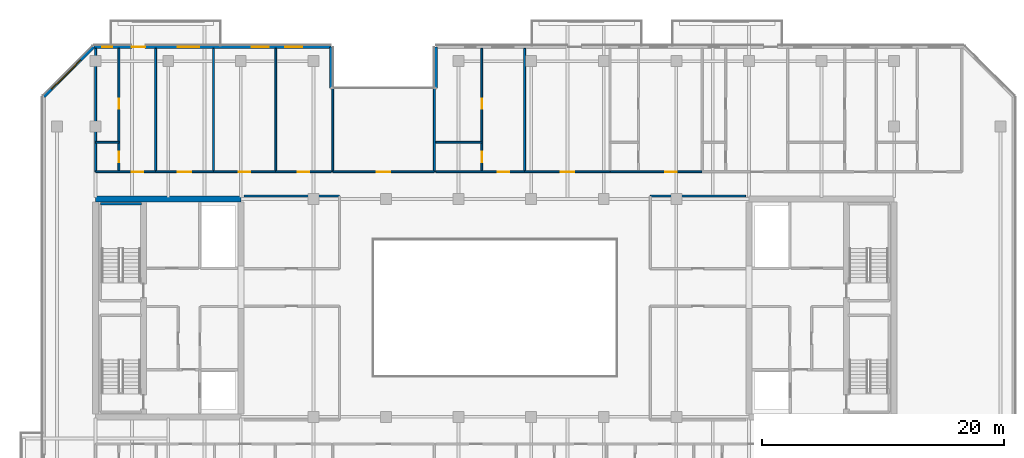
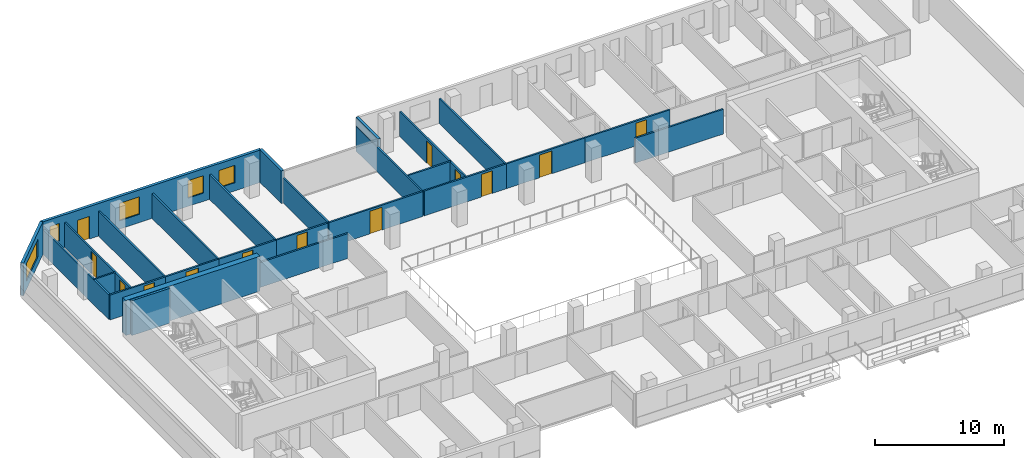
# One storey, part 12 of 19: 27 walls, 13 doors, 5 windows, 18 openings.
"""IFC4 building model written with IfcOpenShell, lengths in metres."""

from ifc_helpers import new_model, si_unit, direction, frame, frame_2d, origin, place, context, subcontext, project, spatial, rectangle, extrude, material, layer, layer_set, type_object, element, fill, save


model = new_model("IFC4")

# Units and contexts
model_context = context("Model", 3, precision=1e-05, world=origin(), true_north=direction((0.0, 1.0)))
body_context = subcontext(model_context, "Body", "Model", "MODEL_VIEW")
ifc_project = project(units=[si_unit("LENGTHUNIT", "METRE"), si_unit("AREAUNIT", "SQUARE_METRE"), si_unit("VOLUMEUNIT", "CUBIC_METRE"), si_unit("PLANEANGLEUNIT", "RADIAN"), si_unit("MASSUNIT", "GRAM", prefix="KILO")], contexts=[model_context])

# Site, building, storey
site_placement = place(None, origin())
site = spatial("IfcSite", under=ifc_project, at=site_placement, CompositionType="ELEMENT")
building_placement = place(site_placement, origin())
building = spatial("IfcBuilding", under=site, at=building_placement, Name="Tanjung Sevakor Pilgrim Tower", CompositionType="ELEMENT")
storey_placement = place(building_placement, frame((0.0, 0.0, 138.60009765625)))
storey = spatial("IfcBuildingStorey", under=building, at=storey_placement, Name="L38", CompositionType="ELEMENT", Elevation=138.60009765625)

# Walls
ifc_material_1 = material(Name="Concrete C60/75", Category="concrete")
ifc_layer_1 = layer(ifc_material_1, 0.5)
ifc_layer_set_1 = layer_set([ifc_layer_1], Name="WALL-CW-500")
wall_type_1 = type_object("IfcWallType", Name="WALL-CW-500", PredefinedType="SHEAR", material=ifc_layer_set_1)
wall_1_placement = place(storey_placement, frame((36.0, 42.60009765625, 0.0), z_axis=(0.0, 0.0, 1.0), x_axis=(-1.0, 0.0, 0.0)))
element("IfcWall", 1, at=wall_1_placement, inside=storey, type_object=wall_type_1, Name="L38 W Core North Shear Wall", PredefinedType="SHEAR", context=body_context, shape_type="SweptSolid", body=[
    extrude(rectangle(XDim=12.0, YDim=0.5, at=frame_2d((6.0, 0.0))), origin(), (0.0, 0.0, 1.0), 3.2998046875),
])
ifc_material_2 = material(Name="Concrete C40/50", Category="concrete")
ifc_layer_2 = layer(ifc_material_2, 0.14990234375)
ifc_layer_set_2 = layer_set([ifc_layer_2], Name="WT-COMP-150")
wall_type_2 = type_object("IfcWallType", Name="WT-COMP-150", PredefinedType="SOLIDWALL", material=ifc_layer_set_2)
for number, where, z_axis, x_axis, name in (
    (2, (36.27001953125, 42.85009765625, 0.0), (0.0, 0.0, 1.0), (1.0, 0.0, 0.0), "L38 Partition IW-L38-023"),
    (3, (69.85009765625, 42.85009765625, 0.0), (0.0, 0.0, 1.0), (1.0, 0.0, 0.0), "L38 Partition IW-L38-029"),
):
    element("IfcWall", number, at=place(storey_placement, frame(where, z_axis=z_axis, x_axis=x_axis)), inside=storey, type_object=wall_type_2, Name=name, PredefinedType="SOLIDWALL", context=body_context, shape_type="SweptSolid", body=[
        extrude(rectangle(XDim=7.8798828125, YDim=0.14990234375, at=frame_2d((3.93994140625, 0.0))), origin(), (0.0, 0.0, 1.0), 2.35009765625),
    ])

# Wall, opening, door
wall_2_placement = place(storey_placement, frame((43.60009765625, 44.85009765625, 0.0), z_axis=(0.0, 0.0, 1.0), x_axis=(1.0, 0.0, 0.0)))
wall_2 = element("IfcWall", 4, at=wall_2_placement, inside=storey, type_object=wall_type_2, Name="L38 Partition IW-L38-034", PredefinedType="SOLIDWALL", context=body_context, shape_type="SweptSolid", body=[
    extrude(rectangle(XDim=8.39990234375, YDim=0.14990234375, at=frame_2d((4.199951171875, 0.0))), origin(), (0.0, 0.0, 1.0), 2.35009765625),
])
opening_1_placement = place(wall_2_placement, frame((3.64990234375, 0.0, 0.0)))
opening_1 = element("IfcOpeningElement", 5, at=opening_1_placement, cuts=wall_2, Name="Opening ID-RM2", PredefinedType="OPENING", context=body_context, shape_type="SweptSolid", body=[
    extrude(rectangle(XDim=1.10009765625, YDim=2.14990234375, at=frame_2d((0.550048828125, 1.074951171875))), frame((0.0, 0.0849609375, 0.0), z_axis=(0.0, -1.0, 0.0), x_axis=(1.0, 0.0, 0.0)), (0.0, 0.0, 1.0), 0.169921875),
])
ifc_material_3 = material(Name="Hardwood Timber", Category="wood")
door_type_1 = type_object("IfcDoorType", Name="DT-INT-1100", OperationType="NOTDEFINED", PredefinedType="DOOR", material=ifc_material_3)
door_1_placement = place(opening_1_placement, origin())
door_1 = element("IfcDoor", 6, at=door_1_placement, inside=storey, type_object=door_type_1, Name="L38 North Cleft Prayer Room Door", OperationType="SINGLE_SWING_RIGHT", OverallHeight=2.14990234375, OverallWidth=1.10009765625, PredefinedType="DOOR", context=body_context, shape_type="SweptSolid", body=[
    extrude(rectangle(XDim=1.10009765625, YDim=2.14990234375, at=frame_2d((0.550048828125, 1.074951171875))), frame((0.0, 0.02490234375, 0.0), z_axis=(0.0, -1.0, 0.0), x_axis=(1.0, 0.0, 0.0)), (0.0, 0.0, 1.0), 0.050048828125),
])
fill(opening_1, door_1)

# Walls
for number, where, z_axis, x_axis, name in (
    (7, (43.60009765625, 44.85009765625, 0.0), (0.0, 0.0, 1.0), (0.0, 1.0, 0.0), "L38 Partition IW-L38-035"),
    (8, (52.0, 44.85009765625, 0.0), (0.0, 0.0, 1.0), (0.0, 1.0, 0.0), "L38 Partition IW-L38-036"),
    (9, (24.0, 44.85009765625, 0.0), (0.0, 0.0, 1.0), (0.0, 1.0, 0.0), "L38 Partition IW-L38-068"),
    (10, (28.9619140625, 44.85009765625, 0.0), (0.0, 0.0, 1.0), (0.0, 1.0, 0.0), "L38 Partition IW-L38-069"),
):
    element("IfcWall", number, at=place(storey_placement, frame(where, z_axis=z_axis, x_axis=x_axis)), inside=storey, type_object=wall_type_2, Name=name, PredefinedType="SOLIDWALL", context=body_context, shape_type="SweptSolid", body=[
        extrude(rectangle(XDim=10.199951171875, YDim=0.14990234375, at=frame_2d((5.10009765625, 0.0))), origin(), (0.0, 0.0, 1.0), 2.35009765625),
    ])

# Wall, opening, door
wall_3_placement = place(storey_placement, frame((24.0, 44.85009765625, 0.0), z_axis=(0.0, 0.0, 1.0), x_axis=(1.0, 0.0, 0.0)))
wall_3 = element("IfcWall", 11, at=wall_3_placement, inside=storey, type_object=wall_type_2, Name="L38 Partition IW-L38-072", PredefinedType="SOLIDWALL", context=body_context, shape_type="SweptSolid", body=[
    extrude(rectangle(XDim=4.9619140625, YDim=0.14990234375, at=frame_2d((2.48095703125, 0.0))), origin(), (0.0, 0.0, 1.0), 2.35009765625),
])
opening_2_placement = place(wall_3_placement, frame((3.005859375, 0.0, 0.0)))
opening_2 = element("IfcOpeningElement", 12, at=opening_2_placement, cuts=wall_3, Name="Opening ID-FD2", PredefinedType="OPENING", context=body_context, shape_type="SweptSolid", body=[
    extrude(rectangle(XDim=0.949951171875, YDim=2.14990234375, at=frame_2d((0.47509765625, 1.074951171875))), frame((0.0, 0.0849609375, 0.0), z_axis=(0.0, -1.0, 0.0), x_axis=(1.0, 0.0, 0.0)), (0.0, 0.0, 1.0), 0.169921875),
])
ifc_material_4 = material(Name="Fire-Rated Timber", Category="wood")
door_type_2 = type_object("IfcDoorType", Name="DT-FIRE-950", OperationType="NOTDEFINED", PredefinedType="DOOR", material=ifc_material_4)
door_2_placement = place(opening_2_placement, origin())
door_2 = element("IfcDoor", 13, at=door_2_placement, inside=storey, type_object=door_type_2, Name="Hostel Quad Entrance", OperationType="SINGLE_SWING_RIGHT", OverallHeight=2.14990234375, OverallWidth=0.949951171875, PredefinedType="DOOR", context=body_context, shape_type="SweptSolid", body=[
    extrude(rectangle(XDim=0.949951171875, YDim=2.14990234375, at=frame_2d((0.47509765625, 1.074951171875))), frame((0.0, 0.02490234375, 0.0), z_axis=(0.0, -1.0, 0.0), x_axis=(1.0, 0.0, 0.0)), (0.0, 0.0, 1.0), 0.050048828125),
])
fill(opening_2, door_2)

# Wall
wall_4_placement = place(storey_placement, frame((33.739990234375, 44.85009765625, 0.0), z_axis=(0.0, 0.0, 1.0), x_axis=(0.0, 1.0, 0.0)))
element("IfcWall", 14, at=wall_4_placement, inside=storey, type_object=wall_type_2, Name="L38 Partition IW-L38-073", PredefinedType="SOLIDWALL", context=body_context, shape_type="SweptSolid", body=[
    extrude(rectangle(XDim=10.199951171875, YDim=0.14990234375, at=frame_2d((5.10009765625, 0.0))), origin(), (0.0, 0.0, 1.0), 2.35009765625),
])

# Wall, opening, door
wall_5_placement = place(storey_placement, frame((28.9619140625, 44.85009765625, 0.0), z_axis=(0.0, 0.0, 1.0), x_axis=(1.0, 0.0, 0.0)))
wall_5 = element("IfcWall", 15, at=wall_5_placement, inside=storey, type_object=wall_type_2, Name="L38 Partition IW-L38-074", PredefinedType="SOLIDWALL", context=body_context, shape_type="SweptSolid", body=[
    extrude(rectangle(XDim=4.778076171875, YDim=0.14990234375, at=frame_2d((2.38916015625, 0.0))), origin(), (0.0, 0.0, 1.0), 2.35009765625),
])
opening_3_placement = place(wall_5_placement, frame((1.839111328125, 0.0, 0.0)))
opening_3 = element("IfcOpeningElement", 16, at=opening_3_placement, cuts=wall_5, Name="Opening ID-FD0", PredefinedType="OPENING", context=body_context, shape_type="SweptSolid", body=[
    extrude(rectangle(XDim=1.10009765625, YDim=2.14990234375, at=frame_2d((0.550048828125, 1.074951171875))), frame((0.0, 0.0849609375, 0.0), z_axis=(0.0, -1.0, 0.0), x_axis=(1.0, 0.0, 0.0)), (0.0, 0.0, 1.0), 0.169921875),
])
ifc_material_5 = material(Name="Fire-Rated Steel S355J2", Category="steel")
door_type_3 = type_object("IfcDoorType", Name="DT-FIRE-1100", OperationType="NOTDEFINED", PredefinedType="DOOR", material=ifc_material_5)
door_3_placement = place(opening_3_placement, origin())
door_3 = element("IfcDoor", 17, at=door_3_placement, inside=storey, type_object=door_type_3, Name="Seminar Room Door", OperationType="SINGLE_SWING_LEFT", OverallHeight=2.14990234375, OverallWidth=1.10009765625, PredefinedType="DOOR", context=body_context, shape_type="SweptSolid", body=[
    extrude(rectangle(XDim=1.10009765625, YDim=2.14990234375, at=frame_2d((0.550048828125, 1.074951171875))), frame((0.0, 0.02490234375, 0.0), z_axis=(0.0, -1.0, 0.0), x_axis=(1.0, 0.0, 0.0)), (0.0, 0.0, 1.0), 0.050048828125),
])
fill(opening_3, door_3)

# Wall
wall_6_placement = place(storey_placement, frame((38.8857421875, 44.85009765625, 0.0), z_axis=(0.0, 0.0, 1.0), x_axis=(0.0, 1.0, 0.0)))
element("IfcWall", 18, at=wall_6_placement, inside=storey, type_object=wall_type_2, Name="L38 Partition IW-L38-075", PredefinedType="SOLIDWALL", context=body_context, shape_type="SweptSolid", body=[
    extrude(rectangle(XDim=10.199951171875, YDim=0.14990234375, at=frame_2d((5.10009765625, 0.0))), origin(), (0.0, 0.0, 1.0), 2.35009765625),
])

# Wall, opening, door
wall_7_placement = place(storey_placement, frame((33.739990234375, 44.85009765625, 0.0), z_axis=(0.0, 0.0, 1.0), x_axis=(1.0, 0.0, 0.0)))
wall_7 = element("IfcWall", 19, at=wall_7_placement, inside=storey, type_object=wall_type_2, Name="L38 Partition IW-L38-076", PredefinedType="SOLIDWALL", context=body_context, shape_type="SweptSolid", body=[
    extrude(rectangle(XDim=5.145751953125, YDim=0.14990234375, at=frame_2d((2.57275390625, 0.0))), origin(), (0.0, 0.0, 1.0), 2.35009765625),
])
opening_4_placement = place(wall_7_placement, frame((2.097900390625, 0.0, 0.0)))
opening_4 = element("IfcOpeningElement", 20, at=opening_4_placement, cuts=wall_7, Name="Opening ID-FD2", PredefinedType="OPENING", context=body_context, shape_type="SweptSolid", body=[
    extrude(rectangle(XDim=0.949951171875, YDim=2.14990234375, at=frame_2d((0.47509765625, 1.074951171875))), frame((0.0, 0.0849609375, 0.0), z_axis=(0.0, -1.0, 0.0), x_axis=(1.0, 0.0, 0.0)), (0.0, 0.0, 1.0), 0.169921875),
])
door_4_placement = place(opening_4_placement, origin())
door_4 = element("IfcDoor", 21, at=door_4_placement, inside=storey, type_object=door_type_2, Name="Study Room Entrance", OperationType="SINGLE_SWING_RIGHT", OverallHeight=2.14990234375, OverallWidth=0.949951171875, PredefinedType="DOOR", context=body_context, shape_type="SweptSolid", body=[
    extrude(rectangle(XDim=0.949951171875, YDim=2.14990234375, at=frame_2d((0.47509765625, 1.074951171875))), frame((0.0, 0.02490234375, 0.0), z_axis=(0.0, -1.0, 0.0), x_axis=(1.0, 0.0, 0.0)), (0.0, 0.0, 1.0), 0.050048828125),
])
fill(opening_4, door_4)

wall_8_placement = place(storey_placement, frame((38.8857421875, 44.85009765625, 0.0), z_axis=(0.0, 0.0, 1.0), x_axis=(1.0, 0.0, 0.0)))
wall_8 = element("IfcWall", 22, at=wall_8_placement, inside=storey, type_object=wall_type_2, Name="L38 Partition IW-L38-077", PredefinedType="SOLIDWALL", context=body_context, shape_type="SweptSolid", body=[
    extrude(rectangle(XDim=4.59423828125, YDim=0.14990234375, at=frame_2d((2.297119140625, 0.0))), origin(), (0.0, 0.0, 1.0), 2.35009765625),
])
opening_5_placement = place(wall_8_placement, frame((1.822021484375, 0.0, 0.0)))
opening_5 = element("IfcOpeningElement", 23, at=opening_5_placement, cuts=wall_8, Name="Opening ID-FD2", PredefinedType="OPENING", context=body_context, shape_type="SweptSolid", body=[
    extrude(rectangle(XDim=0.949951171875, YDim=2.14990234375, at=frame_2d((0.47509765625, 1.074951171875))), frame((0.0, 0.0849609375, 0.0), z_axis=(0.0, -1.0, 0.0), x_axis=(1.0, 0.0, 0.0)), (0.0, 0.0, 1.0), 0.169921875),
])
door_5_placement = place(opening_5_placement, origin())
door_5 = element("IfcDoor", 24, at=door_5_placement, inside=storey, type_object=door_type_2, Name="Study Room Entrance", OperationType="SINGLE_SWING_LEFT", OverallHeight=2.14990234375, OverallWidth=0.949951171875, PredefinedType="DOOR", context=body_context, shape_type="SweptSolid", body=[
    extrude(rectangle(XDim=0.949951171875, YDim=2.14990234375, at=frame_2d((0.47509765625, 1.074951171875))), frame((0.0, 0.02490234375, 0.0), z_axis=(0.0, -1.0, 0.0), x_axis=(1.0, 0.0, 0.0)), (0.0, 0.0, 1.0), 0.050048828125),
])
fill(opening_5, door_5)

# Wall
wall_9_placement = place(storey_placement, frame((59.457275390625, 44.85009765625, 0.0), z_axis=(0.0, 0.0, 1.0), x_axis=(0.0, 1.0, 0.0)))
element("IfcWall", 25, at=wall_9_placement, inside=storey, type_object=wall_type_2, Name="L38 Partition IW-L38-079", PredefinedType="SOLIDWALL", context=body_context, shape_type="SweptSolid", body=[
    extrude(rectangle(XDim=10.199951171875, YDim=0.14990234375, at=frame_2d((5.10009765625, 0.0))), origin(), (0.0, 0.0, 1.0), 2.35009765625),
])

# Wall, opening, door
wall_10_placement = place(storey_placement, frame((52.1201171875, 44.85009765625, 0.0), z_axis=(0.0, 0.0, 1.0), x_axis=(1.0, 0.0, 0.0)))
wall_10 = element("IfcWall", 26, at=wall_10_placement, inside=storey, type_object=wall_type_2, Name="L38 Partition IW-L38-082", PredefinedType="SOLIDWALL", context=body_context, shape_type="SweptSolid", body=[
    extrude(rectangle(XDim=7.337158203125, YDim=0.14990234375, at=frame_2d((3.66845703125, 0.0))), origin(), (0.0, 0.0, 1.0), 2.35009765625),
])
opening_6_placement = place(wall_10_placement, frame((5.133544921875, 0.0, 0.0)))
opening_6 = element("IfcOpeningElement", 27, at=opening_6_placement, cuts=wall_10, Name="Opening ID-FD2", PredefinedType="OPENING", context=body_context, shape_type="SweptSolid", body=[
    extrude(rectangle(XDim=0.949951171875, YDim=2.14990234375, at=frame_2d((0.47509765625, 1.074951171875))), frame((0.0, 0.0849609375, 0.0), z_axis=(0.0, -1.0, 0.0), x_axis=(1.0, 0.0, 0.0)), (0.0, 0.0, 1.0), 0.169921875),
])
door_6_placement = place(opening_6_placement, origin())
door_6 = element("IfcDoor", 28, at=door_6_placement, inside=storey, type_object=door_type_2, Name="Hostel Quad Entrance", OperationType="SINGLE_SWING_RIGHT", OverallHeight=2.14990234375, OverallWidth=0.949951171875, PredefinedType="DOOR", context=body_context, shape_type="SweptSolid", body=[
    extrude(rectangle(XDim=0.949951171875, YDim=2.14990234375, at=frame_2d((0.47509765625, 1.074951171875))), frame((0.0, 0.02490234375, 0.0), z_axis=(0.0, -1.0, 0.0), x_axis=(1.0, 0.0, 0.0)), (0.0, 0.0, 1.0), 0.050048828125),
])
fill(opening_6, door_6)

wall_11_placement = place(storey_placement, frame((59.457275390625, 44.85009765625, 0.0), z_axis=(0.0, 0.0, 1.0), x_axis=(1.0, 0.0, 0.0)))
wall_11 = element("IfcWall", 29, at=wall_11_placement, inside=storey, type_object=wall_type_2, Name="L38 Partition IW-L38-084", PredefinedType="SOLIDWALL", context=body_context, shape_type="SweptSolid", body=[
    extrude(rectangle(XDim=7.0654296875, YDim=0.14990234375, at=frame_2d((3.53271484375, 0.0))), origin(), (0.0, 0.0, 1.0), 2.35009765625),
])
opening_7_placement = place(wall_11_placement, frame((2.98291015625, 0.0, 0.0)))
opening_7 = element("IfcOpeningElement", 30, at=opening_7_placement, cuts=wall_11, Name="Opening ID-FD0", PredefinedType="OPENING", context=body_context, shape_type="SweptSolid", body=[
    extrude(rectangle(XDim=1.10009765625, YDim=2.14990234375, at=frame_2d((0.550048828125, 1.074951171875))), frame((0.0, 0.0849609375, 0.0), z_axis=(0.0, -1.0, 0.0), x_axis=(1.0, 0.0, 0.0)), (0.0, 0.0, 1.0), 0.169921875),
])
door_7_placement = place(opening_7_placement, origin())
door_7 = element("IfcDoor", 31, at=door_7_placement, inside=storey, type_object=door_type_3, Name="Communal Lounge Door", OperationType="SINGLE_SWING_LEFT", OverallHeight=2.14990234375, OverallWidth=1.10009765625, PredefinedType="DOOR", context=body_context, shape_type="SweptSolid", body=[
    extrude(rectangle(XDim=1.10009765625, YDim=2.14990234375, at=frame_2d((0.550048828125, 1.074951171875))), frame((0.0, 0.02490234375, 0.0), z_axis=(0.0, -1.0, 0.0), x_axis=(1.0, 0.0, 0.0)), (0.0, 0.0, 1.0), 0.050048828125),
])
fill(opening_7, door_7)

wall_12_placement = place(storey_placement, frame((66.522705078125, 44.85009765625, 0.0), z_axis=(0.0, 0.0, 1.0), x_axis=(1.0, 0.0, 0.0)))
wall_12 = element("IfcWall", 32, at=wall_12_placement, inside=storey, type_object=wall_type_2, Name="L38 Partition IW-L38-088", PredefinedType="SOLIDWALL", context=body_context, shape_type="SweptSolid", body=[
    extrude(rectangle(XDim=7.60888671875, YDim=0.14990234375, at=frame_2d((3.804443359375, 0.0))), origin(), (0.0, 0.0, 1.0), 2.35009765625),
])
opening_8_placement = place(wall_12_placement, frame((4.54443359375, 0.0, 0.0)))
opening_8 = element("IfcOpeningElement", 33, at=opening_8_placement, cuts=wall_12, Name="Opening ID-FD2", PredefinedType="OPENING", context=body_context, shape_type="SweptSolid", body=[
    extrude(rectangle(XDim=0.949951171875, YDim=2.14990234375, at=frame_2d((0.47509765625, 1.074951171875))), frame((0.0, 0.0849609375, 0.0), z_axis=(0.0, -1.0, 0.0), x_axis=(1.0, 0.0, 0.0)), (0.0, 0.0, 1.0), 0.169921875),
])
door_8_placement = place(opening_8_placement, origin())
door_8 = element("IfcDoor", 34, at=door_8_placement, inside=storey, type_object=door_type_2, Name="Hostel Quad Entrance", OperationType="SINGLE_SWING_RIGHT", OverallHeight=2.14990234375, OverallWidth=0.949951171875, PredefinedType="DOOR", context=body_context, shape_type="SweptSolid", body=[
    extrude(rectangle(XDim=0.949951171875, YDim=2.14990234375, at=frame_2d((0.47509765625, 1.074951171875))), frame((0.0, 0.02490234375, 0.0), z_axis=(0.0, -1.0, 0.0), x_axis=(1.0, 0.0, 0.0)), (0.0, 0.0, 1.0), 0.050048828125),
])
fill(opening_8, door_8)

# Walls
ifc_material_6 = material(Name="Precast concrete C45/55", Category="concrete")
ifc_layer_3 = layer(ifc_material_6, 0.25)
ifc_layer_set_3 = layer_set([ifc_layer_3], Name="WT-EW-STN3")
wall_type_3 = type_object("IfcWallType", Name="WT-EW-STN3", PredefinedType="SOLIDWALL", material=ifc_layer_set_3)
for number, where, z_axis, x_axis, name in (
    (35, (52.125, 55.175048828125, 0.0), (0.0, 0.0, 1.0), (0.0, -1.0, 0.0), "L38 MAIN Exterior Wall 10"),
    (36, (43.47509765625, 51.77490234375, 0.0), (0.0, 0.0, 1.0), (0.0, 1.0, 0.0), "L38 MAIN Exterior Wall 12"),
):
    element("IfcWall", number, at=place(storey_placement, frame(where, z_axis=z_axis, x_axis=x_axis)), inside=storey, type_object=wall_type_3, Name=name, PredefinedType="SOLIDWALL", context=body_context, shape_type="SweptSolid", body=[
        extrude(rectangle(XDim=3.400146484375, YDim=0.25, at=frame_2d((1.7001953125, 0.0))), origin(), (0.0, 0.0, 1.0), 3.080078125),
    ])

# Wall, openings, door, windows
wall_13_placement = place(storey_placement, frame((43.47509765625, 55.175048828125, 0.0), z_axis=(0.0, 0.0, 1.0), x_axis=(-1.0, 0.0, 0.0)))
wall_13 = element("IfcWall", 37, at=wall_13_placement, inside=storey, type_object=wall_type_3, Name="L38 MAIN Exterior Wall 13", PredefinedType="SOLIDWALL", context=body_context, shape_type="SweptSolid", body=[
    extrude(rectangle(XDim=19.623291015625, YDim=0.25, at=frame_2d((9.8115234375, 0.0))), origin(), (0.0, 0.0, 1.0), 3.080078125),
])
opening_9_placement = place(wall_13_placement, frame((15.375, 0.0, 0.0)))
opening_9 = element("IfcOpeningElement", 38, at=opening_9_placement, cuts=wall_13, Name="Opening ED-BAL-1100", PredefinedType="OPENING", context=body_context, shape_type="SweptSolid", body=[
    extrude(rectangle(XDim=1.10009765625, YDim=2.14990234375, at=frame_2d((0.550048828125, 1.074951171875))), frame((0.0, 0.135009765625, 0.0), z_axis=(0.0, -1.0, 0.0), x_axis=(1.0, 0.0, 0.0)), (0.0, 0.0, 1.0), 0.27001953125),
])
opening_10_placement = place(wall_13_placement, frame((18.080078125, 0.0, 0.780029296875)))
opening_10 = element("IfcOpeningElement", 39, at=opening_10_placement, cuts=wall_13, Name="Opening WN-SLM", PredefinedType="OPENING", context=body_context, shape_type="SweptSolid", body=[
    extrude(rectangle(XDim=0.85009765625, YDim=1.64990234375, at=frame_2d((0.425048828125, 0.824951171875))), frame((0.0, 0.135009765625, 0.0), z_axis=(0.0, -1.0, 0.0), x_axis=(1.0, 0.0, 0.0)), (0.0, 0.0, 1.0), 0.27001953125),
])
opening_11_placement = place(wall_13_placement, frame((10.904052734375, 0.0, 0.780029296875)))
opening_11 = element("IfcOpeningElement", 40, at=opening_11_placement, cuts=wall_13, Name="Opening WN-Z3-1660", PredefinedType="OPENING", context=body_context, shape_type="SweptSolid", body=[
    extrude(rectangle(XDim=1.800048828125, YDim=1.659912109375, at=frame_2d((0.89990234375, 0.830078125))), frame((0.0, 0.135009765625, 0.0), z_axis=(0.0, -1.0, 0.0), x_axis=(1.0, 0.0, 0.0)), (0.0, 0.0, 1.0), 0.27001953125),
])
opening_12_placement = place(wall_13_placement, frame((5.18212890625, 0.0, 0.780029296875)))
opening_12 = element("IfcOpeningElement", 41, at=opening_12_placement, cuts=wall_13, Name="Opening WN-END", PredefinedType="OPENING", context=body_context, shape_type="SweptSolid", body=[
    extrude(rectangle(XDim=1.39990234375, YDim=1.64990234375, at=frame_2d((0.699951171875, 0.824951171875))), frame((0.0, 0.135009765625, 0.0), z_axis=(0.0, -1.0, 0.0), x_axis=(1.0, 0.0, 0.0)), (0.0, 0.0, 1.0), 0.27001953125),
])
opening_13_placement = place(wall_13_placement, frame((2.39208984375, 0.0, 0.780029296875)))
opening_13 = element("IfcOpeningElement", 42, at=opening_13_placement, cuts=wall_13, Name="Opening WN-END", PredefinedType="OPENING", context=body_context, shape_type="SweptSolid", body=[
    extrude(rectangle(XDim=1.39990234375, YDim=1.64990234375, at=frame_2d((0.699951171875, 0.824951171875))), frame((0.0, 0.135009765625, 0.0), z_axis=(0.0, -1.0, 0.0), x_axis=(1.0, 0.0, 0.0)), (0.0, 0.0, 1.0), 0.27001953125),
])
ifc_material_7 = material(Name="Anodised Aluminium and Laminated Glass", Category="aluminium")
door_type_4 = type_object("IfcDoorType", Name="DTYP-ED-BAL-1100", OperationType="NOTDEFINED", PredefinedType="DOOR", material=ifc_material_7)
door_9_placement = place(opening_9_placement, frame((1.10009765625, 0.0, 0.0), z_axis=(0.0, 0.0, 1.0), x_axis=(-1.0, 0.0, 0.0)))
door_9 = element("IfcDoor", 43, at=door_9_placement, inside=storey, type_object=door_type_4, Name="L38 Balcony Door MAIN-N1", OperationType="SINGLE_SWING_RIGHT", OverallHeight=2.14990234375, OverallWidth=1.10009765625, PredefinedType="DOOR", context=body_context, shape_type="SweptSolid", body=[
    extrude(rectangle(XDim=1.10009765625, YDim=2.14990234375, at=frame_2d((0.550048828125, 1.074951171875))), frame((0.0, 0.02490234375, 0.0), z_axis=(0.0, -1.0, 0.0), x_axis=(1.0, 0.0, 0.0)), (0.0, 0.0, 1.0), 0.050048828125),
])
fill(opening_9, door_9)
ifc_material_8 = material(Name="Thermally Broken Aluminium and Low-E Glass", Category="aluminium")
window_type_1 = type_object("IfcWindowType", Name="WTYP-WN-END", PartitioningType="SINGLE_PANEL", PredefinedType="WINDOW", material=ifc_material_8)
window_1_placement = place(opening_12_placement, origin())
window_1 = element("IfcWindow", 44, at=window_1_placement, inside=storey, type_object=window_type_1, Name="L38 Facade Window 03", OverallHeight=1.64990234375, OverallWidth=1.39990234375, PartitioningType="SINGLE_PANEL", PredefinedType="WINDOW", context=body_context, shape_type="SweptSolid", body=[
    extrude(rectangle(XDim=1.39990234375, YDim=1.64990234375, at=frame_2d((0.699951171875, 0.824951171875))), frame((0.0, 0.030029296875, 0.0), z_axis=(0.0, -1.0, 0.0), x_axis=(1.0, 0.0, 0.0)), (0.0, 0.0, 1.0), 0.06005859375),
])
fill(opening_12, window_1)
window_2_placement = place(opening_13_placement, origin())
window_2 = element("IfcWindow", 45, at=window_2_placement, inside=storey, type_object=window_type_1, Name="L38 Facade Window 04", OverallHeight=1.64990234375, OverallWidth=1.39990234375, PartitioningType="SINGLE_PANEL", PredefinedType="WINDOW", context=body_context, shape_type="SweptSolid", body=[
    extrude(rectangle(XDim=1.39990234375, YDim=1.64990234375, at=frame_2d((0.699951171875, 0.824951171875))), frame((0.0, 0.030029296875, 0.0), z_axis=(0.0, -1.0, 0.0), x_axis=(1.0, 0.0, 0.0)), (0.0, 0.0, 1.0), 0.06005859375),
])
fill(opening_13, window_2)
ifc_material_9 = material(Name="Thermally Broken Aluminium and Low-E Glass", Category="aluminium")
window_type_2 = type_object("IfcWindowType", Name="WTYP-WN-SLM", PartitioningType="SINGLE_PANEL", PredefinedType="WINDOW", material=ifc_material_9)
window_3_placement = place(opening_10_placement, origin())
window_3 = element("IfcWindow", 46, at=window_3_placement, inside=storey, type_object=window_type_2, Name="L38 Facade Window 01", OverallHeight=1.64990234375, OverallWidth=0.85009765625, PartitioningType="SINGLE_PANEL", PredefinedType="WINDOW", context=body_context, shape_type="SweptSolid", body=[
    extrude(rectangle(XDim=0.85009765625, YDim=1.64990234375, at=frame_2d((0.425048828125, 0.824951171875))), frame((0.0, 0.030029296875, 0.0), z_axis=(0.0, -1.0, 0.0), x_axis=(1.0, 0.0, 0.0)), (0.0, 0.0, 1.0), 0.06005859375),
])
fill(opening_10, window_3)
ifc_material_10 = material(Name="Thermally Broken Aluminium and Low-E Glass", Category="aluminium")
window_type_3 = type_object("IfcWindowType", Name="WTYP-WN-Z3-1660", PartitioningType="DOUBLE_PANEL_VERTICAL", PredefinedType="WINDOW", material=ifc_material_10)
window_4_placement = place(opening_11_placement, origin())
window_4 = element("IfcWindow", 47, at=window_4_placement, inside=storey, type_object=window_type_3, Name="L38 Facade Window 02", OverallHeight=1.659912109375, OverallWidth=1.800048828125, PartitioningType="SINGLE_PANEL", PredefinedType="WINDOW", context=body_context, shape_type="SweptSolid", body=[
    extrude(rectangle(XDim=1.800048828125, YDim=1.659912109375, at=frame_2d((0.89990234375, 0.830078125))), frame((0.0, 0.030029296875, 0.0), z_axis=(0.0, -1.0, 0.0), x_axis=(1.0, 0.0, 0.0)), (0.0, 0.0, 1.0), 0.06005859375),
])
fill(opening_11, window_4)

# Wall, opening, window
wall_14_placement = place(storey_placement, frame((23.851806640625, 55.175048828125, 0.0), z_axis=(0.0, 0.0, 1.0), x_axis=(-0.70708586489, -0.707127696864, 0.0)))
wall_14 = element("IfcWall", 48, at=wall_14_placement, inside=storey, type_object=wall_type_3, Name="L38 MAIN Sculpted Corner Wall 13", PredefinedType="SOLIDWALL", context=body_context, shape_type="SweptSolid", body=[
    extrude(rectangle(XDim=5.836181640625, YDim=0.25, at=frame_2d((2.91796875, 0.0))), origin(), (0.0, 0.0, 1.0), 3.080078125),
])
opening_14_placement = place(wall_14_placement, frame((1.5380859375, 0.0, 0.780029296875)))
opening_14 = element("IfcOpeningElement", 49, at=opening_14_placement, cuts=wall_14, Name="Opening WN-CHM-1660", PredefinedType="OPENING", context=body_context, shape_type="SweptSolid", body=[
    extrude(rectangle(XDim=3.39990234375, YDim=1.659912109375, at=frame_2d((1.699951171875, 0.830078125))), frame((0.0, 0.135009765625, 0.0), z_axis=(0.0, -1.0, 0.0), x_axis=(1.0, 0.0, 0.0)), (0.0, 0.0, 1.0), 0.27001953125),
])
ifc_material_11 = material(Name="Thermally Broken Aluminium and Low-E Glass", Category="aluminium")
window_type_4 = type_object("IfcWindowType", Name="WTYP-WN-CHM-1660", PartitioningType="DOUBLE_PANEL_VERTICAL", PredefinedType="WINDOW", material=ifc_material_11)
window_5_placement = place(opening_14_placement, origin())
window_5 = element("IfcWindow", 50, at=window_5_placement, inside=storey, type_object=window_type_4, Name="L38 Facade Window 01", OverallHeight=1.659912109375, OverallWidth=3.39990234375, PartitioningType="SINGLE_PANEL", PredefinedType="WINDOW", context=body_context, shape_type="SweptSolid", body=[
    extrude(rectangle(XDim=3.39990234375, YDim=1.659912109375, at=frame_2d((1.699951171875, 0.830078125))), frame((0.0, 0.030029296875, 0.0), z_axis=(0.0, -1.0, 0.0), x_axis=(1.0, 0.0, 0.0)), (0.0, 0.0, 1.0), 0.06005859375),
])
fill(opening_14, window_5)

# Walls
ifc_material_12 = material(Name="Concrete C40/50", Category="concrete")
ifc_layer_4 = layer(ifc_material_12, 0.199951171875)
ifc_layer_set_4 = layer_set([ifc_layer_4], Name="WT-FIRE-200")
wall_type_4 = type_object("IfcWallType", Name="WT-FIRE-200", PredefinedType="SOLIDWALL", material=ifc_layer_set_4)
wall_15_placement = place(storey_placement, frame((27.800048828125, 42.199951171875, 0.0), z_axis=(0.0, 0.0, 1.0), x_axis=(-1.0, 0.0, 0.0)))
element("IfcWall", 51, at=wall_15_placement, inside=storey, type_object=wall_type_4, Name="L38 TS-W2 Shaft Wall 2", PredefinedType="SOLIDWALL", context=body_context, shape_type="SweptSolid", body=[
    extrude(rectangle(XDim=3.400146484375, YDim=0.199951171875, at=frame_2d((1.7001953125, 0.0))), origin(), (0.0, 0.0, 1.0), 3.2998046875),
])
ifc_material_13 = material(Name="Gypsum Board Partition", Category="gypsum board")
ifc_layer_5 = layer(ifc_material_13, 0.14990234375)
ifc_layer_set_5 = layer_set([ifc_layer_5], Name="WT-PART-150")
wall_type_5 = type_object("IfcWallType", Name="WT-PART-150", PredefinedType="PARTITIONING", material=ifc_layer_set_5)
wall_16_placement = place(storey_placement, frame((24.0, 47.300048828125, 0.0), z_axis=(0.0, 0.0, 1.0), x_axis=(1.0, 0.0, 0.0)))
element("IfcWall", 52, at=wall_16_placement, inside=storey, type_object=wall_type_5, Name="L38 Partition IW-L38-070", PredefinedType="PARTITIONING", context=body_context, shape_type="SweptSolid", body=[
    extrude(rectangle(XDim=1.919921875, YDim=0.14990234375, at=frame_2d((0.9599609375, 0.0))), origin(), (0.0, 0.0, 1.0), 2.35009765625),
])

# Wall, openings, doors
wall_17_placement = place(storey_placement, frame((25.919921875, 44.85009765625, 0.0), z_axis=(0.0, 0.0, 1.0), x_axis=(0.0, 1.0, 0.0)))
wall_17 = element("IfcWall", 53, at=wall_17_placement, inside=storey, type_object=wall_type_5, Name="L38 Partition IW-L38-071", PredefinedType="PARTITIONING", context=body_context, shape_type="SweptSolid", body=[
    extrude(rectangle(XDim=10.199951171875, YDim=0.14990234375, at=frame_2d((5.10009765625, 0.0))), origin(), (0.0, 0.0, 1.0), 2.35009765625),
])
opening_15_placement = place(wall_17_placement, frame((0.800048828125, 0.0, 0.0)))
opening_15 = element("IfcOpeningElement", 54, at=opening_15_placement, cuts=wall_17, Name="Opening ID-WC1", PredefinedType="OPENING", context=body_context, shape_type="SweptSolid", body=[
    extrude(rectangle(XDim=0.85009765625, YDim=2.10009765625, at=frame_2d((0.425048828125, 1.050048828125))), frame((0.0, 0.0849609375, 0.0), z_axis=(0.0, -1.0, 0.0), x_axis=(1.0, 0.0, 0.0)), (0.0, 0.0, 1.0), 0.169921875),
])
opening_16_placement = place(wall_17_placement, frame((5.2099609375, 0.0, 0.0)))
opening_16 = element("IfcOpeningElement", 55, at=opening_16_placement, cuts=wall_17, Name="Opening ID-WC1", PredefinedType="OPENING", context=body_context, shape_type="SweptSolid", body=[
    extrude(rectangle(XDim=0.85009765625, YDim=2.10009765625, at=frame_2d((0.425048828125, 1.050048828125))), frame((0.0, 0.0849609375, 0.0), z_axis=(0.0, -1.0, 0.0), x_axis=(1.0, 0.0, 0.0)), (0.0, 0.0, 1.0), 0.169921875),
])
ifc_material_14 = material(Name="Moisture-Resistant Timber", Category="wood")
door_type_5 = type_object("IfcDoorType", Name="DT-INT-850", OperationType="NOTDEFINED", PredefinedType="DOOR", material=ifc_material_14)
door_10_placement = place(opening_15_placement, origin())
door_10 = element("IfcDoor", 56, at=door_10_placement, inside=storey, type_object=door_type_5, Name="Bathroom Door", OperationType="SINGLE_SWING_RIGHT", OverallHeight=2.10009765625, OverallWidth=0.85009765625, PredefinedType="DOOR", context=body_context, shape_type="SweptSolid", body=[
    extrude(rectangle(XDim=0.85009765625, YDim=2.10009765625, at=frame_2d((0.425048828125, 1.050048828125))), frame((0.0, 0.02490234375, 0.0), z_axis=(0.0, -1.0, 0.0), x_axis=(1.0, 0.0, 0.0)), (0.0, 0.0, 1.0), 0.050048828125),
])
fill(opening_15, door_10)
door_11_placement = place(opening_16_placement, origin())
door_11 = element("IfcDoor", 57, at=door_11_placement, inside=storey, type_object=door_type_5, Name="Study Nook Door", OperationType="SINGLE_SWING_LEFT", OverallHeight=2.10009765625, OverallWidth=0.85009765625, PredefinedType="DOOR", context=body_context, shape_type="SweptSolid", body=[
    extrude(rectangle(XDim=0.85009765625, YDim=2.10009765625, at=frame_2d((0.425048828125, 1.050048828125))), frame((0.0, 0.02490234375, 0.0), z_axis=(0.0, -1.0, 0.0), x_axis=(1.0, 0.0, 0.0)), (0.0, 0.0, 1.0), 0.050048828125),
])
fill(opening_16, door_11)

# Wall
wall_18_placement = place(storey_placement, frame((52.1201171875, 47.300048828125, 0.0), z_axis=(0.0, 0.0, 1.0), x_axis=(1.0, 0.0, 0.0)))
element("IfcWall", 58, at=wall_18_placement, inside=storey, type_object=wall_type_5, Name="L38 Partition IW-L38-080", PredefinedType="PARTITIONING", context=body_context, shape_type="SweptSolid", body=[
    extrude(rectangle(XDim=3.7998046875, YDim=0.14990234375, at=frame_2d((1.89990234375, 0.0))), origin(), (0.0, 0.0, 1.0), 2.35009765625),
])

# Wall, openings, doors
wall_19_placement = place(storey_placement, frame((55.919921875, 44.85009765625, 0.0), z_axis=(0.0, 0.0, 1.0), x_axis=(0.0, 1.0, 0.0)))
wall_19 = element("IfcWall", 59, at=wall_19_placement, inside=storey, type_object=wall_type_5, Name="L38 Partition IW-L38-081", PredefinedType="PARTITIONING", context=body_context, shape_type="SweptSolid", body=[
    extrude(rectangle(XDim=10.199951171875, YDim=0.14990234375, at=frame_2d((5.10009765625, 0.0))), origin(), (0.0, 0.0, 1.0), 2.35009765625),
])
opening_17_placement = place(wall_19_placement, frame((0.800048828125, 0.0, 0.0)))
opening_17 = element("IfcOpeningElement", 60, at=opening_17_placement, cuts=wall_19, Name="Opening ID-WC1", PredefinedType="OPENING", context=body_context, shape_type="SweptSolid", body=[
    extrude(rectangle(XDim=0.85009765625, YDim=2.10009765625, at=frame_2d((0.425048828125, 1.050048828125))), frame((0.0, 0.0849609375, 0.0), z_axis=(0.0, -1.0, 0.0), x_axis=(1.0, 0.0, 0.0)), (0.0, 0.0, 1.0), 0.169921875),
])
opening_18_placement = place(wall_19_placement, frame((5.2099609375, 0.0, 0.0)))
opening_18 = element("IfcOpeningElement", 61, at=opening_18_placement, cuts=wall_19, Name="Opening ID-WC1", PredefinedType="OPENING", context=body_context, shape_type="SweptSolid", body=[
    extrude(rectangle(XDim=0.85009765625, YDim=2.10009765625, at=frame_2d((0.425048828125, 1.050048828125))), frame((0.0, 0.0849609375, 0.0), z_axis=(0.0, -1.0, 0.0), x_axis=(1.0, 0.0, 0.0)), (0.0, 0.0, 1.0), 0.169921875),
])
door_12_placement = place(opening_17_placement, origin())
door_12 = element("IfcDoor", 62, at=door_12_placement, inside=storey, type_object=door_type_5, Name="Bathroom Door", OperationType="SINGLE_SWING_RIGHT", OverallHeight=2.10009765625, OverallWidth=0.85009765625, PredefinedType="DOOR", context=body_context, shape_type="SweptSolid", body=[
    extrude(rectangle(XDim=0.85009765625, YDim=2.10009765625, at=frame_2d((0.425048828125, 1.050048828125))), frame((0.0, 0.02490234375, 0.0), z_axis=(0.0, -1.0, 0.0), x_axis=(1.0, 0.0, 0.0)), (0.0, 0.0, 1.0), 0.050048828125),
])
fill(opening_17, door_12)
door_13_placement = place(opening_18_placement, origin())
door_13 = element("IfcDoor", 63, at=door_13_placement, inside=storey, type_object=door_type_5, Name="Study Nook Door", OperationType="SINGLE_SWING_LEFT", OverallHeight=2.10009765625, OverallWidth=0.85009765625, PredefinedType="DOOR", context=body_context, shape_type="SweptSolid", body=[
    extrude(rectangle(XDim=0.85009765625, YDim=2.10009765625, at=frame_2d((0.425048828125, 1.050048828125))), frame((0.0, 0.02490234375, 0.0), z_axis=(0.0, -1.0, 0.0), x_axis=(1.0, 0.0, 0.0)), (0.0, 0.0, 1.0), 0.050048828125),
])
fill(opening_18, door_13)

save(model, "model.ifc")
